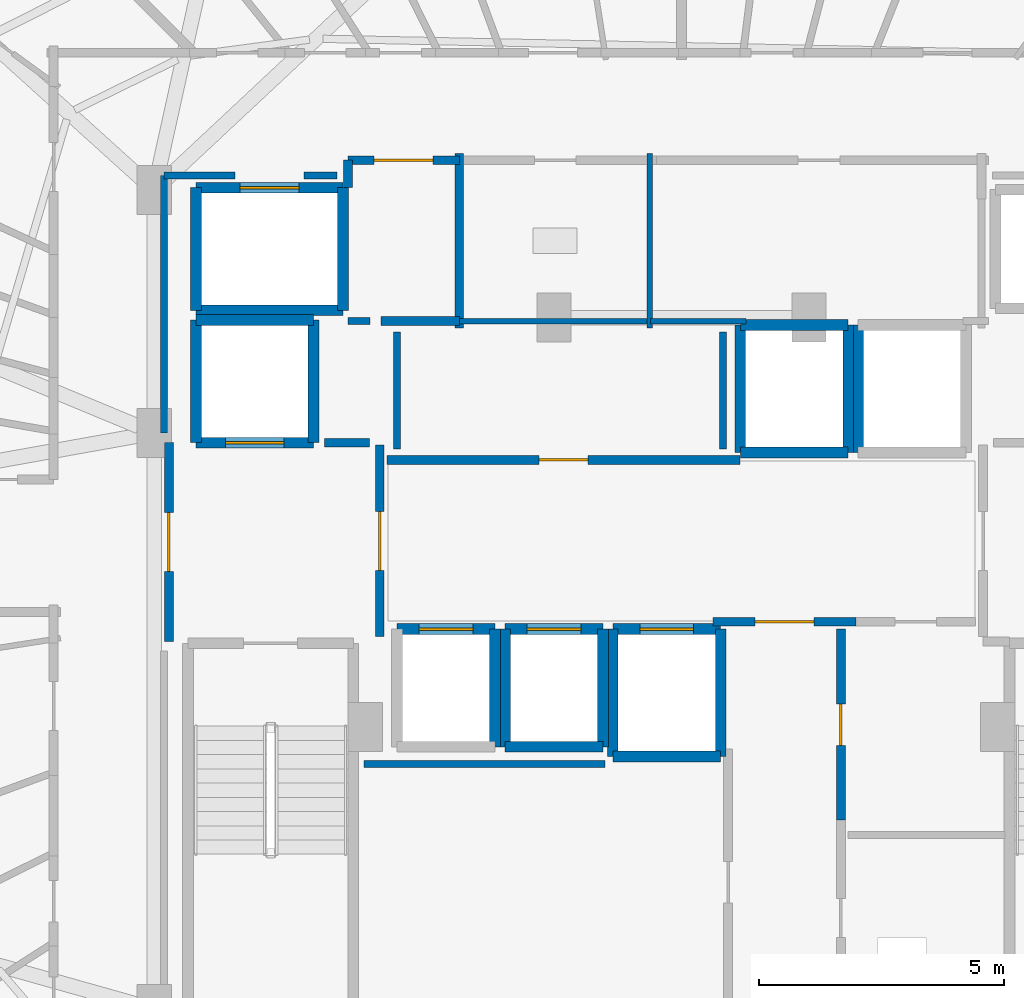
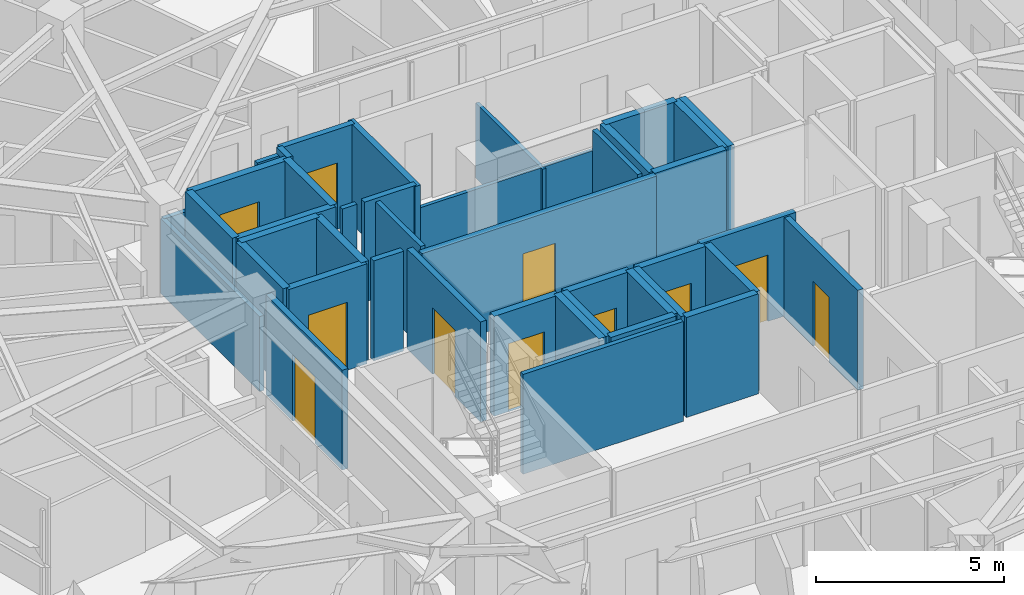
# One storey, part 25 of 33: 43 walls, 11 doors, 11 openings.
"""IFC4 building model written with IfcOpenShell, lengths in metres."""

from ifc_helpers import new_model, si_unit, direction, frame, frame_2d, origin, place, context, subcontext, project, spatial, rectangle, extrude, material, layer, layer_set, type_object, element, fill, save


model = new_model("IFC4")

# Units and contexts
model_context = context("Model", 3, precision=1e-05, world=origin(), true_north=direction((0.0, 1.0)))
body_context = subcontext(model_context, "Body", "Model", "MODEL_VIEW")
ifc_project = project(units=[si_unit("LENGTHUNIT", "METRE"), si_unit("AREAUNIT", "SQUARE_METRE"), si_unit("VOLUMEUNIT", "CUBIC_METRE"), si_unit("PLANEANGLEUNIT", "RADIAN"), si_unit("MASSUNIT", "GRAM", prefix="KILO")], contexts=[model_context])

# Site, building, storey
site_placement = place(None, origin())
site = spatial("IfcSite", under=ifc_project, at=site_placement, CompositionType="ELEMENT")
building_placement = place(site_placement, origin())
building = spatial("IfcBuilding", under=site, at=building_placement, Name="Vorneva Point Tower", CompositionType="ELEMENT")
storey_placement = place(building_placement, frame((0.0, 0.0, 179.10009765625)))
storey = spatial("IfcBuildingStorey", under=building, at=storey_placement, Name="L48", CompositionType="ELEMENT", Elevation=179.10009765625)

# Wall, opening, door
ifc_material_1 = material(Name="Concrete B60 (C50/60)", Category="concrete")
ifc_layer_1 = layer(ifc_material_1, 0.35009765625)
ifc_layer_set_1 = layer_set([ifc_layer_1], Name="Concrete B60 (C50/60)")
wall_type_1 = type_object("IfcWallType", Name="WL-CORE-350", PredefinedType="SHEAR", material=ifc_layer_set_1)
wall_1_placement = place(storey_placement, frame((28.10009765625, 28.0, 0.0), z_axis=(0.0, 0.0, 1.0), x_axis=(1.0, 0.0, 0.0)))
wall_1 = element("IfcWall", 1, at=wall_1_placement, inside=storey, type_object=wall_type_1, Name="L48 Lift FFL1 Shaft Wall -Y", PredefinedType="SHEAR", context=body_context, shape_type="SweptSolid", body=[
    extrude(rectangle(XDim=2.39990234375, YDim=0.219970703125, at=frame_2d((1.199951171875, 0.0))), origin(), (0.0, 0.0, 1.0), 3.239990234375),
])
opening_1_placement = place(wall_1_placement, frame((0.60009765625, 0.0, 0.0)))
opening_1 = element("IfcOpeningElement", 2, at=opening_1_placement, cuts=wall_1, Name="Opening LD-02", PredefinedType="OPENING", context=body_context, shape_type="SweptSolid", body=[
    extrude(rectangle(XDim=1.199951171875, YDim=2.199951171875, at=frame_2d((0.60009765625, 1.10009765625))), frame((0.0, 0.125, 0.0), z_axis=(0.0, -1.0, 0.0), x_axis=(1.0, 0.0, 0.0)), (0.0, 0.0, 1.0), 0.249755859375),
])
ifc_material_2 = material(Name="Brushed stainless steel S304", Category="steel")
door_type_1 = type_object("IfcDoorType", Name="LD-FIRE-1200", OperationType="SLIDING_TO_LEFT", PredefinedType="DOOR", material=ifc_material_2)
door_1_placement = place(opening_1_placement, origin())
door_1 = element("IfcDoor", 3, at=door_1_placement, inside=storey, type_object=door_type_1, Name="L48 Lift FFL1 Sliding Landing Door", OperationType="SLIDING_TO_LEFT", OverallHeight=2.199951171875, OverallWidth=1.199951171875, PredefinedType="DOOR", context=body_context, shape_type="SweptSolid", body=[
    extrude(rectangle(XDim=1.199951171875, YDim=2.199951171875, at=frame_2d((0.60009765625, 1.10009765625))), frame((0.0, 0.02490234375, 0.0), z_axis=(0.0, -1.0, 0.0), x_axis=(1.0, 0.0, 0.0)), (0.0, 0.0, 1.0), 0.050048828125),
])
fill(opening_1, door_1)

# Walls
wall_2_placement = place(storey_placement, frame((30.5, 28.0, 0.0), z_axis=(0.0, 0.0, 1.0), x_axis=(0.0, 1.0, 0.0)))
element("IfcWall", 4, at=wall_2_placement, inside=storey, type_object=wall_type_1, Name="L48 Lift FFL1 Shaft Wall +X", PredefinedType="SHEAR", context=body_context, shape_type="SweptSolid", body=[
    extrude(rectangle(XDim=2.5, YDim=0.219970703125, at=frame_2d((1.25, 0.0))), origin(), (0.0, 0.0, 1.0), 3.239990234375),
])
wall_3_placement = place(storey_placement, frame((30.5, 30.5, 0.0), z_axis=(0.0, 0.0, 1.0), x_axis=(-1.0, 0.0, 0.0)))
element("IfcWall", 5, at=wall_3_placement, inside=storey, type_object=wall_type_1, Name="L48 Lift FFL1 Shaft Wall +Y", PredefinedType="SHEAR", context=body_context, shape_type="SweptSolid", body=[
    extrude(rectangle(XDim=2.39990234375, YDim=0.219970703125, at=frame_2d((1.199951171875, 0.0))), origin(), (0.0, 0.0, 1.0), 3.239990234375),
])
wall_4_placement = place(storey_placement, frame((28.10009765625, 30.5, 0.0), z_axis=(0.0, 0.0, 1.0), x_axis=(0.0, -1.0, 0.0)))
element("IfcWall", 6, at=wall_4_placement, inside=storey, type_object=wall_type_1, Name="L48 Lift FFL1 Shaft Wall -X", PredefinedType="SHEAR", context=body_context, shape_type="SweptSolid", body=[
    extrude(rectangle(XDim=2.5, YDim=0.219970703125, at=frame_2d((1.25, 0.0))), origin(), (0.0, 0.0, 1.0), 3.239990234375),
])
ifc_material_3 = material(Name="Fire-rated acoustic gypsum stud partition", Category="gypsum")
ifc_layer_2 = layer(ifc_material_3, 0.110107421875)
ifc_layer_set_2 = layer_set([ifc_layer_2], Name="Fire-rated acoustic gypsum stud partition")
wall_type_2 = type_object("IfcWallType", Name="WL-PART-110", PredefinedType="PARTITIONING", material=ifc_layer_set_2)
wall_5_placement = place(storey_placement, frame((37.35009765625, 30.340087890625, 0.0), z_axis=(0.0, 0.0, 1.0), x_axis=(0.0, 1.0, 0.0)))
element("IfcWall", 7, at=wall_5_placement, inside=storey, type_object=wall_type_2, Name="L48 Interior Partition 019", PredefinedType="PARTITIONING", context=body_context, shape_type="SweptSolid", body=[
    extrude(rectangle(XDim=3.559814453125, YDim=0.110107421875, at=frame_2d((1.77978515625, 0.0))), origin(), (0.0, 0.0, 1.0), 2.431884765625),
])
wall_6_placement = place(storey_placement, frame((33.360107421875, 30.47998046875, 0.0), z_axis=(0.0, 0.0, 1.0), x_axis=(1.0, 0.0, 0.0)))
element("IfcWall", 8, at=wall_6_placement, inside=storey, type_object=wall_type_2, Name="L48 Interior Partition 020", PredefinedType="PARTITIONING", context=body_context, shape_type="SweptSolid", body=[
    extrude(rectangle(XDim=4.114990234375, YDim=0.110107421875, at=frame_2d((2.0576171875, 0.0))), origin(), (0.0, 0.0, 1.0), 2.431884765625),
])
wall_7_placement = place(storey_placement, frame((37.364990234375, 30.47998046875, 0.0), z_axis=(0.0, 0.0, 1.0), x_axis=(1.0, 0.0, 0.0)))
element("IfcWall", 9, at=wall_7_placement, inside=storey, type_object=wall_type_2, Name="L48 Interior Partition 022", PredefinedType="PARTITIONING", context=body_context, shape_type="SweptSolid", body=[
    extrude(rectangle(XDim=1.955078125, YDim=0.110107421875, at=frame_2d((0.9775390625, 0.0))), origin(), (0.0, 0.0, 1.0), 2.431884765625),
])
ifc_layer_3 = layer(ifc_material_3, 0.139892578125)
ifc_layer_set_3 = layer_set([ifc_layer_3], Name="Fire-rated acoustic gypsum stud partition")
wall_type_3 = type_object("IfcWallType", Name="WL-PART-140", PredefinedType="PARTITIONING", material=ifc_layer_set_3)
wall_8_placement = place(storey_placement, frame((31.199951171875, 30.47998046875, 0.0), z_axis=(0.0, 0.0, 1.0), x_axis=(1.0, 0.0, 0.0)))
element("IfcWall", 10, at=wall_8_placement, inside=storey, type_object=wall_type_3, Name="L48 Interior Closure Partition 191", PredefinedType="PARTITIONING", context=body_context, shape_type="SweptSolid", body=[
    extrude(rectangle(XDim=0.449951171875, YDim=0.139892578125, at=frame_2d((0.22509765625, 0.0))), origin(), (0.0, 0.0, 1.0), 3.239990234375),
])
wall_9_placement = place(storey_placement, frame((36.43896484375, 21.449951171875, 0.0), z_axis=(0.0, 0.0, 1.0), x_axis=(-1.0, 0.0, 0.0)))
element("IfcWall", 11, at=wall_9_placement, inside=storey, type_object=wall_type_3, Name="L48 Interior Closure Partition 194", PredefinedType="PARTITIONING", context=body_context, shape_type="SweptSolid", body=[
    extrude(rectangle(XDim=4.908935546875, YDim=0.139892578125, at=frame_2d((2.45458984375, 0.0))), origin(), (0.0, 0.0, 1.0), 3.239990234375),
])
for number, where, z_axis, x_axis, name in (
    (12, (32.199951171875, 30.260009765625, 0.0), (0.0, 0.0, 1.0), (0.0, -1.0, 0.0), "L48 Interior Closure Partition 195"),
    (13, (38.85009765625, 27.8701171875, 0.0), (0.0, 0.0, 1.0), (0.0, 1.0, 0.0), "L48 Interior Closure Partition 196"),
):
    element("IfcWall", number, at=place(storey_placement, frame(where, z_axis=z_axis, x_axis=x_axis)), inside=storey, type_object=wall_type_3, Name=name, PredefinedType="PARTITIONING", context=body_context, shape_type="SweptSolid", body=[
        extrude(rectangle(XDim=2.389892578125, YDim=0.139892578125, at=frame_2d((1.19482421875, 0.0))), origin(), (0.0, 0.0, 1.0), 3.239990234375),
    ])
wall_10_placement = place(storey_placement, frame((30.97998046875, 33.449951171875, 0.0), z_axis=(0.0, 0.0, 1.0), x_axis=(-1.0, 0.0, 0.0)))
element("IfcWall", 14, at=wall_10_placement, inside=storey, type_object=wall_type_3, Name="L48 Interior Closure Partition 201", PredefinedType="PARTITIONING", context=body_context, shape_type="SweptSolid", body=[
    extrude(rectangle(XDim=0.674072265625, YDim=0.139892578125, at=frame_2d((0.3369140625, 0.0))), origin(), (0.0, 0.0, 1.0), 3.239990234375),
])
wall_11_placement = place(storey_placement, frame((28.89404296875, 33.449951171875, 0.0), z_axis=(0.0, 0.0, 1.0), x_axis=(-1.0, 0.0, 0.0)))
element("IfcWall", 15, at=wall_11_placement, inside=storey, type_object=wall_type_3, Name="L48 Interior Closure Partition 202", PredefinedType="PARTITIONING", context=body_context, shape_type="SweptSolid", body=[
    extrude(rectangle(XDim=1.444091796875, YDim=0.139892578125, at=frame_2d((0.72216796875, 0.0))), origin(), (0.0, 0.0, 1.0), 2.431884765625),
])
wall_12_placement = place(storey_placement, frame((27.449951171875, 33.449951171875, 0.0), z_axis=(0.0, 0.0, 1.0), x_axis=(0.0, -1.0, 0.0)))
element("IfcWall", 16, at=wall_12_placement, inside=storey, type_object=wall_type_3, Name="L48 Interior Closure Partition 203", PredefinedType="PARTITIONING", context=body_context, shape_type="SweptSolid", body=[
    extrude(rectangle(XDim=5.25390625, YDim=0.139892578125, at=frame_2d((2.626953125, 0.0))), origin(), (0.0, 0.0, 1.0), 2.431884765625),
])

# Wall, opening, door
ifc_material_4 = material(Name="Autoclaved aerated concrete blockwork", Category="masonry")
ifc_layer_4 = layer(ifc_material_4, 0.179931640625)
ifc_layer_set_4 = layer_set([ifc_layer_4], Name="Autoclaved aerated concrete blockwork")
wall_type_4 = type_object("IfcWallType", Name="WL-PART-180", PredefinedType="PARTITIONING", material=ifc_layer_set_4)
wall_13_placement = place(storey_placement, frame((31.85009765625, 24.044921875, 0.0), z_axis=(0.0, 0.0, 1.0), x_axis=(0.0, 1.0, 0.0)))
wall_13 = element("IfcWall", 17, at=wall_13_placement, inside=storey, type_object=wall_type_4, Name="L48 Interior Partition 001", PredefinedType="PARTITIONING", context=body_context, shape_type="SweptSolid", body=[
    extrude(rectangle(XDim=3.91015625, YDim=0.179931640625, at=frame_2d((1.955078125, 0.0))), origin(), (0.0, 0.0, 1.0), 3.239990234375),
])
opening_2_placement = place(wall_13_placement, frame((1.35498046875, 0.0, 0.0)))
opening_2 = element("IfcOpeningElement", 18, at=opening_2_placement, cuts=wall_13, Name="Opening FD-02", PredefinedType="OPENING", context=body_context, shape_type="SweptSolid", body=[
    extrude(rectangle(XDim=1.199951171875, YDim=2.14990234375, at=frame_2d((0.60009765625, 1.074951171875))), frame((0.0, 0.10498046875, 0.0), z_axis=(0.0, -1.0, 0.0), x_axis=(1.0, 0.0, 0.0)), (0.0, 0.0, 1.0), 0.209716796875),
])
ifc_material_5 = material(Name="Fire-rated powder-coated steel", Category="steel")
door_type_2 = type_object("IfcDoorType", Name="DR-FFL-1200", OperationType="NOTDEFINED", PredefinedType="DOOR", material=ifc_material_5)
door_2_placement = place(opening_2_placement, origin())
door_2 = element("IfcDoor", 19, at=door_2_placement, inside=storey, type_object=door_type_2, Name="L48 Door West Firefighting Lobby / Central Lift Lobby", OperationType="SINGLE_SWING_LEFT", OverallHeight=2.14990234375, OverallWidth=1.199951171875, PredefinedType="DOOR", context=body_context, shape_type="SweptSolid", body=[
    extrude(rectangle(XDim=1.199951171875, YDim=2.14990234375, at=frame_2d((0.60009765625, 1.074951171875))), frame((0.0, 0.02490234375, 0.0), z_axis=(0.0, -1.0, 0.0), x_axis=(1.0, 0.0, 0.0)), (0.0, 0.0, 1.0), 0.050048828125),
])
fill(opening_2, door_2)

wall_14_placement = place(storey_placement, frame((27.550048828125, 28.0, 0.0), z_axis=(0.0, 0.0, 1.0), x_axis=(0.0, -1.0, 0.0)))
wall_14 = element("IfcWall", 20, at=wall_14_placement, inside=storey, type_object=wall_type_4, Name="L48 Interior Partition 002", PredefinedType="PARTITIONING", context=body_context, shape_type="SweptSolid", body=[
    extrude(rectangle(XDim=4.050048828125, YDim=0.179931640625, at=frame_2d((2.02490234375, 0.0))), origin(), (0.0, 0.0, 1.0), 3.239990234375),
])
opening_3_placement = place(wall_14_placement, frame((1.425048828125, 0.0, 0.0)))
opening_3 = element("IfcOpeningElement", 21, at=opening_3_placement, cuts=wall_14, Name="Opening FD-02", PredefinedType="OPENING", context=body_context, shape_type="SweptSolid", body=[
    extrude(rectangle(XDim=1.199951171875, YDim=2.14990234375, at=frame_2d((0.60009765625, 1.074951171875))), frame((0.0, 0.10498046875, 0.0), z_axis=(0.0, -1.0, 0.0), x_axis=(1.0, 0.0, 0.0)), (0.0, 0.0, 1.0), 0.209716796875),
])
door_3_placement = place(opening_3_placement, origin())
door_3 = element("IfcDoor", 22, at=door_3_placement, inside=storey, type_object=door_type_2, Name="L48 Door West Firefighting Lobby / L48 Circulation Corridor", OperationType="SINGLE_SWING_RIGHT", OverallHeight=2.14990234375, OverallWidth=1.199951171875, PredefinedType="DOOR", context=body_context, shape_type="SweptSolid", body=[
    extrude(rectangle(XDim=1.199951171875, YDim=2.14990234375, at=frame_2d((0.60009765625, 1.074951171875))), frame((0.0, 0.02490234375, 0.0), z_axis=(0.0, -1.0, 0.0), x_axis=(1.0, 0.0, 0.0)), (0.0, 0.0, 1.0), 0.050048828125),
])
fill(opening_3, door_3)

# Walls
wall_15_placement = place(storey_placement, frame((33.469970703125, 30.340087890625, 0.0), z_axis=(0.0, 0.0, 1.0), x_axis=(0.0, 1.0, 0.0)))
element("IfcWall", 23, at=wall_15_placement, inside=storey, type_object=wall_type_4, Name="L48 Interior Partition 006", PredefinedType="PARTITIONING", context=body_context, shape_type="SweptSolid", body=[
    extrude(rectangle(XDim=3.559814453125, YDim=0.179931640625, at=frame_2d((1.77978515625, 0.0))), origin(), (0.0, 0.0, 1.0), 3.239990234375),
])
wall_16_placement = place(storey_placement, frame((31.8701171875, 30.47998046875, 0.0), z_axis=(0.0, 0.0, 1.0), x_axis=(1.0, 0.0, 0.0)))
element("IfcWall", 24, at=wall_16_placement, inside=storey, type_object=wall_type_4, Name="L48 Interior Partition 007", PredefinedType="PARTITIONING", context=body_context, shape_type="SweptSolid", body=[
    extrude(rectangle(XDim=1.599853515625, YDim=0.179931640625, at=frame_2d((0.7998046875, 0.0))), origin(), (0.0, 0.0, 1.0), 3.239990234375),
])

# Wall, opening, door
wall_17_placement = place(storey_placement, frame((33.469970703125, 33.760009765625, 0.0), z_axis=(0.0, 0.0, 1.0), x_axis=(-1.0, 0.0, 0.0)))
wall_17 = element("IfcWall", 25, at=wall_17_placement, inside=storey, type_object=wall_type_4, Name="L48 Interior Partition 008", PredefinedType="PARTITIONING", context=body_context, shape_type="SweptSolid", body=[
    extrude(rectangle(XDim=2.27001953125, YDim=0.179931640625, at=frame_2d((1.135009765625, 0.0))), origin(), (0.0, 0.0, 1.0), 3.239990234375),
])
opening_4_placement = place(wall_17_placement, frame((0.534912109375, 0.0, 0.0)))
opening_4 = element("IfcOpeningElement", 26, at=opening_4_placement, cuts=wall_17, Name="Opening FD-02", PredefinedType="OPENING", context=body_context, shape_type="SweptSolid", body=[
    extrude(rectangle(XDim=1.199951171875, YDim=2.14990234375, at=frame_2d((0.60009765625, 1.074951171875))), frame((0.0, 0.10498046875, 0.0), z_axis=(0.0, -1.0, 0.0), x_axis=(1.0, 0.0, 0.0)), (0.0, 0.0, 1.0), 0.209716796875),
])
door_4_placement = place(opening_4_placement, origin())
door_4 = element("IfcDoor", 27, at=door_4_placement, inside=storey, type_object=door_type_2, Name="L48 Door Service Lift Lobby / L48 Circulation Corridor", OperationType="SINGLE_SWING_LEFT", OverallHeight=2.14990234375, OverallWidth=1.199951171875, PredefinedType="DOOR", context=body_context, shape_type="SweptSolid", body=[
    extrude(rectangle(XDim=1.199951171875, YDim=2.14990234375, at=frame_2d((0.60009765625, 1.074951171875))), frame((0.0, 0.02490234375, 0.0), z_axis=(0.0, -1.0, 0.0), x_axis=(1.0, 0.0, 0.0)), (0.0, 0.0, 1.0), 0.050048828125),
])
fill(opening_4, door_4)

# Wall
wall_18_placement = place(storey_placement, frame((31.199951171875, 33.760009765625, 0.0), z_axis=(0.0, 0.0, 1.0), x_axis=(0.0, -1.0, 0.0)))
element("IfcWall", 28, at=wall_18_placement, inside=storey, type_object=wall_type_4, Name="L48 Interior Partition 009", PredefinedType="PARTITIONING", context=body_context, shape_type="SweptSolid", body=[
    extrude(rectangle(XDim=0.56005859375, YDim=0.179931640625, at=frame_2d((0.280029296875, 0.0))), origin(), (0.0, 0.0, 1.0), 3.239990234375),
])

# Wall, opening, door
wall_19_placement = place(storey_placement, frame((38.64501953125, 24.35009765625, 0.0), z_axis=(0.0, 0.0, 1.0), x_axis=(1.0, 0.0, 0.0)))
wall_19 = element("IfcWall", 29, at=wall_19_placement, inside=storey, type_object=wall_type_4, Name="L48 Interior Partition 010", PredefinedType="PARTITIONING", context=body_context, shape_type="SweptSolid", body=[
    extrude(rectangle(XDim=2.909912109375, YDim=0.179931640625, at=frame_2d((1.455078125, 0.0))), origin(), (0.0, 0.0, 1.0), 3.239990234375),
])
opening_5_placement = place(wall_19_placement, frame((0.85498046875, 0.0, 0.0)))
opening_5 = element("IfcOpeningElement", 30, at=opening_5_placement, cuts=wall_19, Name="Opening FD-02", PredefinedType="OPENING", context=body_context, shape_type="SweptSolid", body=[
    extrude(rectangle(XDim=1.199951171875, YDim=2.14990234375, at=frame_2d((0.60009765625, 1.074951171875))), frame((0.0, 0.10498046875, 0.0), z_axis=(0.0, -1.0, 0.0), x_axis=(1.0, 0.0, 0.0)), (0.0, 0.0, 1.0), 0.209716796875),
])
door_5_placement = place(opening_5_placement, origin())
door_5 = element("IfcDoor", 31, at=door_5_placement, inside=storey, type_object=door_type_2, Name="L48 Door Central Lift Lobby / Core Service Lobby", OperationType="SINGLE_SWING_RIGHT", OverallHeight=2.14990234375, OverallWidth=1.199951171875, PredefinedType="DOOR", context=body_context, shape_type="SweptSolid", body=[
    extrude(rectangle(XDim=1.199951171875, YDim=2.14990234375, at=frame_2d((0.60009765625, 1.074951171875))), frame((0.0, 0.02490234375, 0.0), z_axis=(0.0, -1.0, 0.0), x_axis=(1.0, 0.0, 0.0)), (0.0, 0.0, 1.0), 0.050048828125),
])
fill(opening_5, door_5)

wall_20_placement = place(storey_placement, frame((39.18994140625, 27.64990234375, 0.0), z_axis=(0.0, 0.0, 1.0), x_axis=(-1.0, 0.0, 0.0)))
wall_20 = element("IfcWall", 32, at=wall_20_placement, inside=storey, type_object=wall_type_4, Name="L48 Interior Partition 012", PredefinedType="PARTITIONING", context=body_context, shape_type="SweptSolid", body=[
    extrude(rectangle(XDim=7.18994140625, YDim=0.179931640625, at=frame_2d((3.594970703125, 0.0))), origin(), (0.0, 0.0, 1.0), 3.239990234375),
])
opening_6_placement = place(wall_20_placement, frame((3.094970703125, 0.0, 0.0)))
opening_6 = element("IfcOpeningElement", 33, at=opening_6_placement, cuts=wall_20, Name="Opening UD-01", PredefinedType="OPENING", context=body_context, shape_type="SweptSolid", body=[
    extrude(rectangle(XDim=1.0, YDim=2.14990234375, at=frame_2d((0.5, 1.074951171875))), frame((0.0, 0.10498046875, 0.0), z_axis=(0.0, -1.0, 0.0), x_axis=(1.0, 0.0, 0.0)), (0.0, 0.0, 1.0), 0.209716796875),
])
ifc_material_6 = material(Name="Engineered oak fire-rated door leaf", Category="wood")
door_type_3 = type_object("IfcDoorType", Name="DR-UNIT-1000", OperationType="NOTDEFINED", PredefinedType="DOOR", material=ifc_material_6)
door_6_placement = place(opening_6_placement, origin())
door_6 = element("IfcDoor", 34, at=door_6_placement, inside=storey, type_object=door_type_3, Name="L48 Door Central Lift Lobby / Reclaimed Core Meeting Room", OperationType="SINGLE_SWING_RIGHT", OverallHeight=2.14990234375, OverallWidth=1.0, PredefinedType="DOOR", context=body_context, shape_type="SweptSolid", body=[
    extrude(rectangle(XDim=1.0, YDim=2.14990234375, at=frame_2d((0.5, 1.074951171875))), frame((0.0, 0.02490234375, 0.0), z_axis=(0.0, -1.0, 0.0), x_axis=(1.0, 0.0, 0.0)), (0.0, 0.0, 1.0), 0.050048828125),
])
fill(opening_6, door_6)

wall_21_placement = place(storey_placement, frame((41.25, 20.304931640625, 0.0), z_axis=(0.0, 0.0, 1.0), x_axis=(0.0, 1.0, 0.0)))
wall_21 = element("IfcWall", 35, at=wall_21_placement, inside=storey, type_object=wall_type_4, Name="L48 Interior Partition 014", PredefinedType="PARTITIONING", context=body_context, shape_type="SweptSolid", body=[
    extrude(rectangle(XDim=3.89501953125, YDim=0.179931640625, at=frame_2d((1.947509765625, 0.0))), origin(), (0.0, 0.0, 1.0), 3.239990234375),
])
opening_7_placement = place(wall_21_placement, frame((1.5224609375, 0.0, 0.0)))
opening_7 = element("IfcOpeningElement", 36, at=opening_7_placement, cuts=wall_21, Name="Opening ID-02", PredefinedType="OPENING", context=body_context, shape_type="SweptSolid", body=[
    extrude(rectangle(XDim=0.85009765625, YDim=2.10009765625, at=frame_2d((0.425048828125, 1.050048828125))), frame((0.0, 0.10498046875, 0.0), z_axis=(0.0, -1.0, 0.0), x_axis=(1.0, 0.0, 0.0)), (0.0, 0.0, 1.0), 0.209716796875),
])
door_type_4 = type_object("IfcDoorType", Name="DR-BATH-850", OperationType="NOTDEFINED", PredefinedType="DOOR", material=ifc_material_6)
door_7_placement = place(opening_7_placement, origin())
door_7 = element("IfcDoor", 37, at=door_7_placement, inside=storey, type_object=door_type_4, Name="L48 Door Core Service Lobby / Cleaners Store", OperationType="SINGLE_SWING_RIGHT", OverallHeight=2.10009765625, OverallWidth=0.85009765625, PredefinedType="DOOR", context=body_context, shape_type="SweptSolid", body=[
    extrude(rectangle(XDim=0.85009765625, YDim=2.10009765625, at=frame_2d((0.425048828125, 1.050048828125))), frame((0.0, 0.02490234375, 0.0), z_axis=(0.0, -1.0, 0.0), x_axis=(1.0, 0.0, 0.0)), (0.0, 0.0, 1.0), 0.050048828125),
])
fill(opening_7, door_7)

# Walls
wall_22_placement = place(storey_placement, frame((31.635009765625, 28.0, 0.0), z_axis=(0.0, 0.0, 1.0), x_axis=(-1.0, 0.0, 0.0)))
element("IfcWall", 38, at=wall_22_placement, inside=storey, type_object=wall_type_4, Name="L48 Interior Closure Partition 189", PredefinedType="PARTITIONING", context=body_context, shape_type="SweptSolid", body=[
    extrude(rectangle(XDim=0.9150390625, YDim=0.179931640625, at=frame_2d((0.45751953125, 0.0))), origin(), (0.0, 0.0, 1.0), 3.239990234375),
])
ifc_material_7 = material(Name="Concrete B50 (C40/50)", Category="concrete")
ifc_layer_5 = layer(ifc_material_7, 0.219970703125)
ifc_layer_set_5 = layer_set([ifc_layer_5], Name="Concrete B50 (C40/50)")
wall_type_5 = type_object("IfcWallType", Name="WL-SHFT-220", PredefinedType="SOLIDWALL", material=ifc_layer_set_5)
wall_23_placement = place(storey_placement, frame((34.199951171875, 21.800048828125, 0.0), z_axis=(0.0, 0.0, 1.0), x_axis=(0.0, 1.0, 0.0)))
element("IfcWall", 39, at=wall_23_placement, inside=storey, type_object=wall_type_5, Name="L48 Lift PL4 Shaft Wall +X", PredefinedType="SOLIDWALL", context=body_context, shape_type="SweptSolid", body=[
    extrude(rectangle(XDim=2.39990234375, YDim=0.219970703125, at=frame_2d((1.199951171875, 0.0))), origin(), (0.0, 0.0, 1.0), 3.239990234375),
])

# Wall, opening, door
wall_24_placement = place(storey_placement, frame((34.199951171875, 24.199951171875, 0.0), z_axis=(0.0, 0.0, 1.0), x_axis=(-1.0, 0.0, 0.0)))
wall_24 = element("IfcWall", 40, at=wall_24_placement, inside=storey, type_object=wall_type_5, Name="L48 Lift PL4 Shaft Wall +Y", PredefinedType="SOLIDWALL", context=body_context, shape_type="SweptSolid", body=[
    extrude(rectangle(XDim=2.0, YDim=0.219970703125, at=frame_2d((1.0, 0.0))), origin(), (0.0, 0.0, 1.0), 3.239990234375),
])
opening_8_placement = place(wall_24_placement, frame((0.449951171875, 0.0, 0.0)))
opening_8 = element("IfcOpeningElement", 41, at=opening_8_placement, cuts=wall_24, Name="Opening LD-01", PredefinedType="OPENING", context=body_context, shape_type="SweptSolid", body=[
    extrude(rectangle(XDim=1.10009765625, YDim=2.199951171875, at=frame_2d((0.550048828125, 1.10009765625))), frame((0.0, 0.125, 0.0), z_axis=(0.0, -1.0, 0.0), x_axis=(1.0, 0.0, 0.0)), (0.0, 0.0, 1.0), 0.249755859375),
])
door_type_5 = type_object("IfcDoorType", Name="LD-PASS-1100", OperationType="SLIDING_TO_LEFT", PredefinedType="DOOR", material=ifc_material_2)
door_8_placement = place(opening_8_placement, origin())
door_8 = element("IfcDoor", 42, at=door_8_placement, inside=storey, type_object=door_type_5, Name="L48 Lift PL4 Sliding Landing Door", OperationType="SLIDING_TO_LEFT", OverallHeight=2.199951171875, OverallWidth=1.10009765625, PredefinedType="DOOR", context=body_context, shape_type="SweptSolid", body=[
    extrude(rectangle(XDim=1.10009765625, YDim=2.199951171875, at=frame_2d((0.550048828125, 1.10009765625))), frame((0.0, 0.02490234375, 0.0), z_axis=(0.0, -1.0, 0.0), x_axis=(1.0, 0.0, 0.0)), (0.0, 0.0, 1.0), 0.050048828125),
])
fill(opening_8, door_8)

# Walls
wall_25_placement = place(storey_placement, frame((34.39990234375, 21.800048828125, 0.0), z_axis=(0.0, 0.0, 1.0), x_axis=(1.0, 0.0, 0.0)))
element("IfcWall", 43, at=wall_25_placement, inside=storey, type_object=wall_type_5, Name="L48 Lift PL5 Shaft Wall -Y", PredefinedType="SOLIDWALL", context=body_context, shape_type="SweptSolid", body=[
    extrude(rectangle(XDim=2.0, YDim=0.219970703125, at=frame_2d((1.0, 0.0))), origin(), (0.0, 0.0, 1.0), 3.239990234375),
])
wall_26_placement = place(storey_placement, frame((36.39990234375, 21.800048828125, 0.0), z_axis=(0.0, 0.0, 1.0), x_axis=(0.0, 1.0, 0.0)))
element("IfcWall", 44, at=wall_26_placement, inside=storey, type_object=wall_type_5, Name="L48 Lift PL5 Shaft Wall +X", PredefinedType="SOLIDWALL", context=body_context, shape_type="SweptSolid", body=[
    extrude(rectangle(XDim=2.39990234375, YDim=0.219970703125, at=frame_2d((1.199951171875, 0.0))), origin(), (0.0, 0.0, 1.0), 3.239990234375),
])

# Wall, opening, door
wall_27_placement = place(storey_placement, frame((36.39990234375, 24.199951171875, 0.0), z_axis=(0.0, 0.0, 1.0), x_axis=(-1.0, 0.0, 0.0)))
wall_27 = element("IfcWall", 45, at=wall_27_placement, inside=storey, type_object=wall_type_5, Name="L48 Lift PL5 Shaft Wall +Y", PredefinedType="SOLIDWALL", context=body_context, shape_type="SweptSolid", body=[
    extrude(rectangle(XDim=2.0, YDim=0.219970703125, at=frame_2d((1.0, 0.0))), origin(), (0.0, 0.0, 1.0), 3.239990234375),
])
opening_9_placement = place(wall_27_placement, frame((0.449951171875, 0.0, 0.0)))
opening_9 = element("IfcOpeningElement", 46, at=opening_9_placement, cuts=wall_27, Name="Opening LD-01", PredefinedType="OPENING", context=body_context, shape_type="SweptSolid", body=[
    extrude(rectangle(XDim=1.10009765625, YDim=2.199951171875, at=frame_2d((0.550048828125, 1.10009765625))), frame((0.0, 0.125, 0.0), z_axis=(0.0, -1.0, 0.0), x_axis=(1.0, 0.0, 0.0)), (0.0, 0.0, 1.0), 0.249755859375),
])
door_9_placement = place(opening_9_placement, origin())
door_9 = element("IfcDoor", 47, at=door_9_placement, inside=storey, type_object=door_type_5, Name="L48 Lift PL5 Sliding Landing Door", OperationType="SLIDING_TO_LEFT", OverallHeight=2.199951171875, OverallWidth=1.10009765625, PredefinedType="DOOR", context=body_context, shape_type="SweptSolid", body=[
    extrude(rectangle(XDim=1.10009765625, YDim=2.199951171875, at=frame_2d((0.550048828125, 1.10009765625))), frame((0.0, 0.02490234375, 0.0), z_axis=(0.0, -1.0, 0.0), x_axis=(1.0, 0.0, 0.0)), (0.0, 0.0, 1.0), 0.050048828125),
])
fill(opening_9, door_9)

# Walls
wall_28_placement = place(storey_placement, frame((34.39990234375, 24.199951171875, 0.0), z_axis=(0.0, 0.0, 1.0), x_axis=(0.0, -1.0, 0.0)))
element("IfcWall", 48, at=wall_28_placement, inside=storey, type_object=wall_type_5, Name="L48 Lift PL5 Shaft Wall -X", PredefinedType="SOLIDWALL", context=body_context, shape_type="SweptSolid", body=[
    extrude(rectangle(XDim=2.39990234375, YDim=0.219970703125, at=frame_2d((1.199951171875, 0.0))), origin(), (0.0, 0.0, 1.0), 3.239990234375),
])
wall_29_placement = place(storey_placement, frame((36.60009765625, 21.60009765625, 0.0), z_axis=(0.0, 0.0, 1.0), x_axis=(1.0, 0.0, 0.0)))
element("IfcWall", 49, at=wall_29_placement, inside=storey, type_object=wall_type_5, Name="L48 Lift PL6 Shaft Wall -Y", PredefinedType="SOLIDWALL", context=body_context, shape_type="SweptSolid", body=[
    extrude(rectangle(XDim=2.199951171875, YDim=0.219970703125, at=frame_2d((1.10009765625, 0.0))), origin(), (0.0, 0.0, 1.0), 3.239990234375),
])
wall_30_placement = place(storey_placement, frame((38.800048828125, 21.60009765625, 0.0), z_axis=(0.0, 0.0, 1.0), x_axis=(0.0, 1.0, 0.0)))
element("IfcWall", 50, at=wall_30_placement, inside=storey, type_object=wall_type_5, Name="L48 Lift PL6 Shaft Wall +X", PredefinedType="SOLIDWALL", context=body_context, shape_type="SweptSolid", body=[
    extrude(rectangle(XDim=2.599853515625, YDim=0.219970703125, at=frame_2d((1.2998046875, 0.0))), origin(), (0.0, 0.0, 1.0), 3.239990234375),
])

# Wall, opening, door
wall_31_placement = place(storey_placement, frame((38.800048828125, 24.199951171875, 0.0), z_axis=(0.0, 0.0, 1.0), x_axis=(-1.0, 0.0, 0.0)))
wall_31 = element("IfcWall", 51, at=wall_31_placement, inside=storey, type_object=wall_type_5, Name="L48 Lift PL6 Shaft Wall +Y", PredefinedType="SOLIDWALL", context=body_context, shape_type="SweptSolid", body=[
    extrude(rectangle(XDim=2.199951171875, YDim=0.219970703125, at=frame_2d((1.10009765625, 0.0))), origin(), (0.0, 0.0, 1.0), 3.239990234375),
])
opening_10_placement = place(wall_31_placement, frame((0.550048828125, 0.0, 0.0)))
opening_10 = element("IfcOpeningElement", 52, at=opening_10_placement, cuts=wall_31, Name="Opening LD-01", PredefinedType="OPENING", context=body_context, shape_type="SweptSolid", body=[
    extrude(rectangle(XDim=1.10009765625, YDim=2.199951171875, at=frame_2d((0.550048828125, 1.10009765625))), frame((0.0, 0.125, 0.0), z_axis=(0.0, -1.0, 0.0), x_axis=(1.0, 0.0, 0.0)), (0.0, 0.0, 1.0), 0.249755859375),
])
door_10_placement = place(opening_10_placement, origin())
door_10 = element("IfcDoor", 53, at=door_10_placement, inside=storey, type_object=door_type_5, Name="L48 Lift PL6 Sliding Landing Door", OperationType="SLIDING_TO_LEFT", OverallHeight=2.199951171875, OverallWidth=1.10009765625, PredefinedType="DOOR", context=body_context, shape_type="SweptSolid", body=[
    extrude(rectangle(XDim=1.10009765625, YDim=2.199951171875, at=frame_2d((0.550048828125, 1.10009765625))), frame((0.0, 0.02490234375, 0.0), z_axis=(0.0, -1.0, 0.0), x_axis=(1.0, 0.0, 0.0)), (0.0, 0.0, 1.0), 0.050048828125),
])
fill(opening_10, door_10)

# Walls
wall_32_placement = place(storey_placement, frame((36.60009765625, 24.199951171875, 0.0), z_axis=(0.0, 0.0, 1.0), x_axis=(0.0, -1.0, 0.0)))
element("IfcWall", 54, at=wall_32_placement, inside=storey, type_object=wall_type_5, Name="L48 Lift PL6 Shaft Wall -X", PredefinedType="SOLIDWALL", context=body_context, shape_type="SweptSolid", body=[
    extrude(rectangle(XDim=2.599853515625, YDim=0.219970703125, at=frame_2d((1.2998046875, 0.0))), origin(), (0.0, 0.0, 1.0), 3.239990234375),
])
wall_33_placement = place(storey_placement, frame((39.199951171875, 27.800048828125, 0.0), z_axis=(0.0, 0.0, 1.0), x_axis=(1.0, 0.0, 0.0)))
element("IfcWall", 55, at=wall_33_placement, inside=storey, type_object=wall_type_5, Name="L48 Lift PL7 Shaft Wall -Y", PredefinedType="SOLIDWALL", context=body_context, shape_type="SweptSolid", body=[
    extrude(rectangle(XDim=2.199951171875, YDim=0.219970703125, at=frame_2d((1.10009765625, 0.0))), origin(), (0.0, 0.0, 1.0), 3.239990234375),
])
wall_34_placement = place(storey_placement, frame((41.39990234375, 27.800048828125, 0.0), z_axis=(0.0, 0.0, 1.0), x_axis=(0.0, 1.0, 0.0)))
element("IfcWall", 56, at=wall_34_placement, inside=storey, type_object=wall_type_5, Name="L48 Lift PL7 Shaft Wall +X", PredefinedType="SOLIDWALL", context=body_context, shape_type="SweptSolid", body=[
    extrude(rectangle(XDim=2.599853515625, YDim=0.219970703125, at=frame_2d((1.2998046875, 0.0))), origin(), (0.0, 0.0, 1.0), 3.239990234375),
])
wall_35_placement = place(storey_placement, frame((41.39990234375, 30.39990234375, 0.0), z_axis=(0.0, 0.0, 1.0), x_axis=(-1.0, 0.0, 0.0)))
element("IfcWall", 57, at=wall_35_placement, inside=storey, type_object=wall_type_5, Name="L48 Lift PL7 Shaft Wall +Y", PredefinedType="SOLIDWALL", context=body_context, shape_type="SweptSolid", body=[
    extrude(rectangle(XDim=2.199951171875, YDim=0.219970703125, at=frame_2d((1.10009765625, 0.0))), origin(), (0.0, 0.0, 1.0), 3.239990234375),
])
for number, where, z_axis, x_axis, name in (
    (58, (39.199951171875, 30.39990234375, 0.0), (0.0, 0.0, 1.0), (0.0, -1.0, 0.0), "L48 Lift PL7 Shaft Wall -X"),
    (59, (41.60009765625, 30.39990234375, 0.0), (0.0, 0.0, 1.0), (0.0, -1.0, 0.0), "L48 Lift PL8 Shaft Wall -X"),
):
    element("IfcWall", number, at=place(storey_placement, frame(where, z_axis=z_axis, x_axis=x_axis)), inside=storey, type_object=wall_type_5, Name=name, PredefinedType="SOLIDWALL", context=body_context, shape_type="SweptSolid", body=[
        extrude(rectangle(XDim=2.599853515625, YDim=0.219970703125, at=frame_2d((1.2998046875, 0.0))), origin(), (0.0, 0.0, 1.0), 3.239990234375),
    ])
wall_36_placement = place(storey_placement, frame((28.10009765625, 30.699951171875, 0.0), z_axis=(0.0, 0.0, 1.0), x_axis=(1.0, 0.0, 0.0)))
element("IfcWall", 60, at=wall_36_placement, inside=storey, type_object=wall_type_5, Name="L48 Lift SVL1 Shaft Wall -Y", PredefinedType="SOLIDWALL", context=body_context, shape_type="SweptSolid", body=[
    extrude(rectangle(XDim=3.0, YDim=0.219970703125, at=frame_2d((1.5, 0.0))), origin(), (0.0, 0.0, 1.0), 3.239990234375),
])
wall_37_placement = place(storey_placement, frame((31.10009765625, 30.699951171875, 0.0), z_axis=(0.0, 0.0, 1.0), x_axis=(0.0, 1.0, 0.0)))
element("IfcWall", 61, at=wall_37_placement, inside=storey, type_object=wall_type_5, Name="L48 Lift SVL1 Shaft Wall +X", PredefinedType="SOLIDWALL", context=body_context, shape_type="SweptSolid", body=[
    extrude(rectangle(XDim=2.5, YDim=0.219970703125, at=frame_2d((1.25, 0.0))), origin(), (0.0, 0.0, 1.0), 3.239990234375),
])

# Wall, opening, door
wall_38_placement = place(storey_placement, frame((31.10009765625, 33.199951171875, 0.0), z_axis=(0.0, 0.0, 1.0), x_axis=(-1.0, 0.0, 0.0)))
wall_38 = element("IfcWall", 62, at=wall_38_placement, inside=storey, type_object=wall_type_5, Name="L48 Lift SVL1 Shaft Wall +Y", PredefinedType="SOLIDWALL", context=body_context, shape_type="SweptSolid", body=[
    extrude(rectangle(XDim=3.0, YDim=0.219970703125, at=frame_2d((1.5, 0.0))), origin(), (0.0, 0.0, 1.0), 3.239990234375),
])
opening_11_placement = place(wall_38_placement, frame((0.89990234375, 0.0, 0.0)))
opening_11 = element("IfcOpeningElement", 63, at=opening_11_placement, cuts=wall_38, Name="Opening LD-02", PredefinedType="OPENING", context=body_context, shape_type="SweptSolid", body=[
    extrude(rectangle(XDim=1.199951171875, YDim=2.199951171875, at=frame_2d((0.60009765625, 1.10009765625))), frame((0.0, 0.125, 0.0), z_axis=(0.0, -1.0, 0.0), x_axis=(1.0, 0.0, 0.0)), (0.0, 0.0, 1.0), 0.249755859375),
])
door_11_placement = place(opening_11_placement, origin())
door_11 = element("IfcDoor", 64, at=door_11_placement, inside=storey, type_object=door_type_1, Name="L48 Lift SVL1 Sliding Landing Door", OperationType="SLIDING_TO_LEFT", OverallHeight=2.199951171875, OverallWidth=1.199951171875, PredefinedType="DOOR", context=body_context, shape_type="SweptSolid", body=[
    extrude(rectangle(XDim=1.199951171875, YDim=2.199951171875, at=frame_2d((0.60009765625, 1.10009765625))), frame((0.0, 0.02490234375, 0.0), z_axis=(0.0, -1.0, 0.0), x_axis=(1.0, 0.0, 0.0)), (0.0, 0.0, 1.0), 0.050048828125),
])
fill(opening_11, door_11)

# Wall
wall_39_placement = place(storey_placement, frame((28.10009765625, 33.199951171875, 0.0), z_axis=(0.0, 0.0, 1.0), x_axis=(0.0, -1.0, 0.0)))
element("IfcWall", 65, at=wall_39_placement, inside=storey, type_object=wall_type_5, Name="L48 Lift SVL1 Shaft Wall -X", PredefinedType="SOLIDWALL", context=body_context, shape_type="SweptSolid", body=[
    extrude(rectangle(XDim=2.5, YDim=0.219970703125, at=frame_2d((1.25, 0.0))), origin(), (0.0, 0.0, 1.0), 3.239990234375),
])

save(model, "model.ifc")
